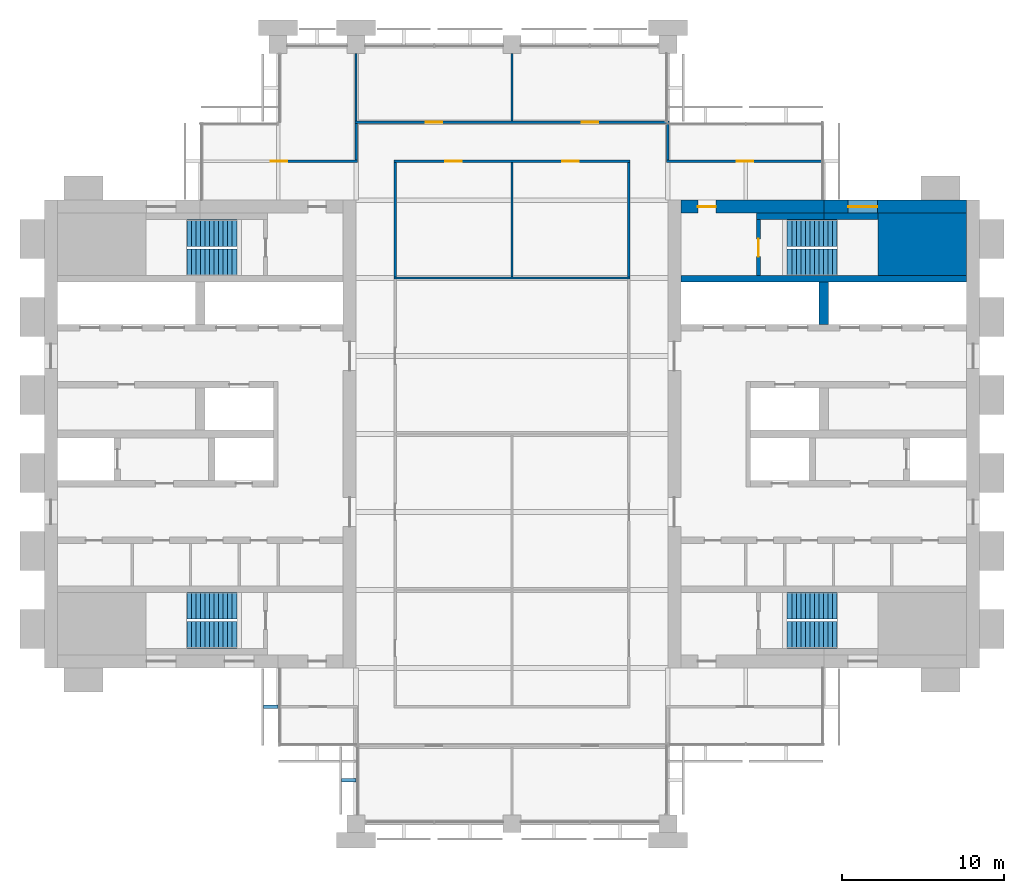
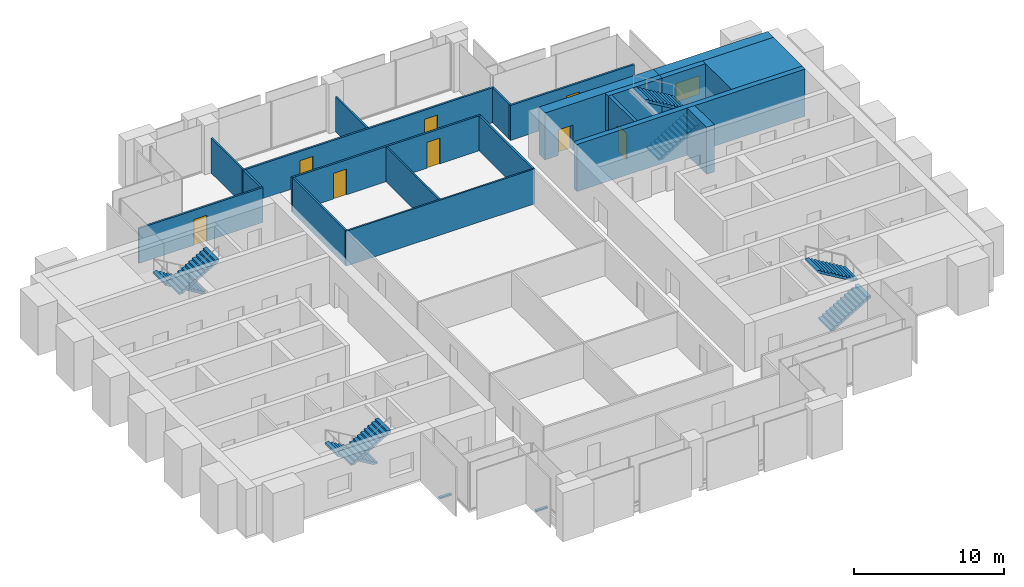
# One storey, part 11 of 13: 20 walls, 8 doors, 8 stair flights, 2 discrete accessories, 1 window, 9 openings, 4 elements without a shape of their own.
"""IFC4 building model written with IfcOpenShell, lengths in metres."""

from ifc_helpers import new_model, si_unit, direction, frame, frame_2d, origin, origin_2d, place, context, subcontext, project, spatial, polyline, rectangle, outline, extrude, material, layer, layer_set, type_object, element, fill, aggregate, save


model = new_model("IFC4")

# Units and contexts
model_context = context("Model", 3, precision=1e-05, world=origin(), true_north=direction((0.0, 1.0)))
body_context = subcontext(model_context, "Body", "Model", "MODEL_VIEW")
ifc_project = project(units=[si_unit("LENGTHUNIT", "METRE"), si_unit("AREAUNIT", "SQUARE_METRE"), si_unit("VOLUMEUNIT", "CUBIC_METRE"), si_unit("PLANEANGLEUNIT", "RADIAN"), si_unit("MASSUNIT", "GRAM", prefix="KILO")], contexts=[model_context])

# Site, building, storey
site_placement = place(None, origin())
site = spatial("IfcSite", under=ifc_project, at=site_placement, CompositionType="ELEMENT")
building_placement = place(site_placement, origin())
building = spatial("IfcBuilding", under=site, at=building_placement, Name="Baori Bourse Tower", CompositionType="ELEMENT")
storey_placement = place(building_placement, frame((0.0, 0.0, 217.199951171875)))
storey = spatial("IfcBuildingStorey", under=building, at=storey_placement, Name="L47", CompositionType="ELEMENT", Elevation=217.199951171875)

# Wall
ifc_material_1 = material(Name="Concrete f'c 50 MPa", Category="concrete")
wall_type_1 = type_object("IfcWallType", Name="Core corner block f'c 50", PredefinedType="SHEAR", material=ifc_material_1)
wall_1_placement = place(storey_placement, frame((51.35009765625, 35.675048828125, 0.0), z_axis=(0.0, 0.0, 1.0), x_axis=(1.0, 0.0, 0.0)))
element("IfcWall", 1, at=wall_1_placement, inside=storey, type_object=wall_type_1, Name="Core wall E25", PredefinedType="SHEAR", context=body_context, shape_type="SweptSolid", body=[
    extrude(rectangle(XDim=5.449951171875, YDim=3.85009765625, at=frame_2d((2.72509765625, 0.0))), origin(), (0.0, 0.0, 1.0), 3.840087890625),
])

# Wall, opening, window
ifc_material_2 = material(Name="Concrete f'c 50 MPa", Category="concrete")
ifc_layer_1 = layer(ifc_material_2, 0.800048828125)
ifc_layer_set_1 = layer_set([ifc_layer_1], Name="Core wall 800 f'c 50")
wall_type_2 = type_object("IfcWallType", Name="Core wall 800 f'c 50", PredefinedType="SHEAR", material=ifc_layer_set_1)
wall_2_placement = place(storey_placement, frame((48.0, 38.0, 0.0), z_axis=(0.0, 0.0, 1.0), x_axis=(1.0, 0.0, 0.0)))
wall_2 = element("IfcWall", 2, at=wall_2_placement, inside=storey, type_object=wall_type_2, Name="Core wall E29", PredefinedType="SHEAR", context=body_context, shape_type="SweptSolid", body=[
    extrude(rectangle(XDim=8.800048828125, YDim=0.800048828125, at=frame_2d((4.39990234375, 0.0))), origin(), (0.0, 0.0, 1.0), 3.840087890625),
])
opening_1_placement = place(wall_2_placement, frame((1.5, 0.0, 0.89990234375)))
opening_1 = element("IfcOpeningElement", 3, at=opening_1_placement, cuts=wall_2, Name="Opening L47-KW204", PredefinedType="OPENING", context=body_context, shape_type="SweptSolid", body=[
    extrude(rectangle(XDim=1.800048828125, YDim=1.5, at=frame_2d((0.89990234375, 0.75))), frame((0.0, 0.409912109375, 0.0), z_axis=(0.0, -1.0, 0.0), x_axis=(1.0, 0.0, 0.0)), (0.0, 0.0, 1.0), 0.820068359375),
])
ifc_material_3 = material(Name="Pale anodised aluminium", Category="aluminium")
window_type = type_object("IfcWindowType", Name="Stair window 1800 x 1500", PartitioningType="SINGLE_PANEL", PredefinedType="WINDOW", material=ifc_material_3)
window_placement = place(opening_1_placement, origin())
window = element("IfcWindow", 4, at=window_placement, inside=storey, type_object=window_type, Name="Stair window E L47 4", OverallHeight=1.5, OverallWidth=1.800048828125, PartitioningType="SINGLE_PANEL", PredefinedType="WINDOW", context=body_context, shape_type="SweptSolid", body=[
    extrude(rectangle(XDim=1.800048828125, YDim=1.5, at=frame_2d((0.89990234375, 0.75))), frame((0.0, 0.030029296875, 0.0), z_axis=(0.0, -1.0, 0.0), x_axis=(1.0, 0.0, 0.0)), (0.0, 0.0, 1.0), 0.06005859375),
])
fill(opening_1, window)

# Wall, opening, door
wall_3_placement = place(storey_placement, frame((39.199951171875, 38.0, 0.0), z_axis=(0.0, 0.0, 1.0), x_axis=(1.0, 0.0, 0.0)))
wall_3 = element("IfcWall", 5, at=wall_3_placement, inside=storey, type_object=wall_type_2, Name="Core wall E30", PredefinedType="SHEAR", context=body_context, shape_type="SweptSolid", body=[
    extrude(rectangle(XDim=8.800048828125, YDim=0.800048828125, at=frame_2d((4.39990234375, 0.0))), origin(), (0.0, 0.0, 1.0), 3.840087890625),
])
opening_2_placement = place(wall_3_placement, frame((1.050048828125, 0.0, 0.0)))
opening_2 = element("IfcOpeningElement", 6, at=opening_2_placement, cuts=wall_3, Name="Opening L47-D204", PredefinedType="OPENING", context=body_context, shape_type="SweptSolid", body=[
    extrude(rectangle(XDim=1.10009765625, YDim=2.10009765625, at=frame_2d((0.550048828125, 1.050048828125))), frame((0.0, 0.409912109375, 0.0), z_axis=(0.0, -1.0, 0.0), x_axis=(1.0, 0.0, 0.0)), (0.0, 0.0, 1.0), 0.820068359375),
])
ifc_material_4 = material(Name="Painted steel door", Category="steel")
door_type_1 = type_object("IfcDoorType", Name="Stair door 1100", OperationType="SINGLE_SWING_LEFT", PredefinedType="DOOR", material=ifc_material_4)
door_1_placement = place(opening_2_placement, origin())
door_1 = element("IfcDoor", 7, at=door_1_placement, inside=storey, type_object=door_type_1, Name="Stair vestibule door B E L47", OperationType="SINGLE_SWING_LEFT", OverallHeight=2.10009765625, OverallWidth=1.10009765625, PredefinedType="DOOR", context=body_context, shape_type="SweptSolid", body=[
    extrude(rectangle(XDim=1.10009765625, YDim=2.10009765625, at=frame_2d((0.550048828125, 1.050048828125))), frame((0.0, 0.02490234375, 0.0), z_axis=(0.0, -1.0, 0.0), x_axis=(1.0, 0.0, 0.0)), (0.0, 0.0, 1.0), 0.050048828125),
])
fill(opening_2, door_1)

ifc_material_5 = material(Name="Gypsum board partition")
ifc_layer_2 = layer(ifc_material_5, 0.14990234375)
ifc_layer_set_2 = layer_set([ifc_layer_2], Name="Corridor partition 150")
wall_type_3 = type_object("IfcWallType", Name="Corridor partition 150", PredefinedType="PARTITIONING", material=ifc_layer_set_2)
wall_4_placement = place(storey_placement, frame((9.699951171875, 40.800048828125, 0.0), z_axis=(0.0, 0.0, 1.0), x_axis=(1.0, 0.0, 0.0)))
wall_4 = element("IfcWall", 8, at=wall_4_placement, inside=storey, type_object=wall_type_3, Name="Partition", PredefinedType="PARTITIONING", context=body_context, shape_type="SweptSolid", body=[
    extrude(rectangle(XDim=9.574951171875, YDim=0.14990234375, at=frame_2d((4.78759765625, 0.0))), origin(), (0.0, 0.0, 1.0), 2.849365234375),
])
opening_3_placement = place(wall_4_placement, frame((4.25, 0.0, 0.0)))
opening_3 = element("IfcOpeningElement", 9, at=opening_3_placement, cuts=wall_4, Name="Opening L47-D05", PredefinedType="OPENING", context=body_context, shape_type="SweptSolid", body=[
    extrude(rectangle(XDim=1.0, YDim=2.10009765625, at=frame_2d((0.5, 1.050048828125))), frame((0.0, 0.0849609375, 0.0), z_axis=(0.0, -1.0, 0.0), x_axis=(1.0, 0.0, 0.0)), (0.0, 0.0, 1.0), 0.169921875),
])
ifc_material_6 = material(Name="Timber door leaf", Category="wood")
door_type_2 = type_object("IfcDoorType", Name="Door 1000 x 2100", OperationType="SINGLE_SWING_LEFT", PredefinedType="DOOR", material=ifc_material_6)
door_2_placement = place(opening_3_placement, origin())
door_2 = element("IfcDoor", 10, at=door_2_placement, inside=storey, type_object=door_type_2, Name="Door", OperationType="SINGLE_SWING_RIGHT", OverallHeight=2.10009765625, OverallWidth=1.0, PredefinedType="DOOR", context=body_context, shape_type="SweptSolid", body=[
    extrude(rectangle(XDim=1.0, YDim=2.10009765625, at=frame_2d((0.5, 1.050048828125))), frame((0.0, 0.02490234375, 0.0), z_axis=(0.0, -1.0, 0.0), x_axis=(1.0, 0.0, 0.0)), (0.0, 0.0, 1.0), 0.050048828125),
])
fill(opening_3, door_2)

# Wall, openings, doors
wall_5_placement = place(storey_placement, frame((21.52490234375, 40.800048828125, 0.0), z_axis=(0.0, 0.0, 1.0), x_axis=(1.0, 0.0, 0.0)))
wall_5 = element("IfcWall", 11, at=wall_5_placement, inside=storey, type_object=wall_type_3, Name="Partition", PredefinedType="PARTITIONING", context=body_context, shape_type="SweptSolid", body=[
    extrude(rectangle(XDim=14.550048828125, YDim=0.14990234375, at=frame_2d((7.27490234375, 0.0))), origin(), (0.0, 0.0, 1.0), 2.849365234375),
])
opening_4_placement = place(wall_5_placement, frame((3.175048828125, 0.0, 0.0)))
opening_4 = element("IfcOpeningElement", 12, at=opening_4_placement, cuts=wall_5, Name="Opening L47-D06", PredefinedType="OPENING", context=body_context, shape_type="SweptSolid", body=[
    extrude(rectangle(XDim=1.0, YDim=2.10009765625, at=frame_2d((0.5, 1.050048828125))), frame((0.0, 0.0849609375, 0.0), z_axis=(0.0, -1.0, 0.0), x_axis=(1.0, 0.0, 0.0)), (0.0, 0.0, 1.0), 0.169921875),
])
opening_5_placement = place(wall_5_placement, frame((10.375, 0.0, 0.0)))
opening_5 = element("IfcOpeningElement", 13, at=opening_5_placement, cuts=wall_5, Name="Opening L47-D07", PredefinedType="OPENING", context=body_context, shape_type="SweptSolid", body=[
    extrude(rectangle(XDim=1.0, YDim=2.10009765625, at=frame_2d((0.5, 1.050048828125))), frame((0.0, 0.0849609375, 0.0), z_axis=(0.0, -1.0, 0.0), x_axis=(1.0, 0.0, 0.0)), (0.0, 0.0, 1.0), 0.169921875),
])
door_3_placement = place(opening_4_placement, origin())
door_3 = element("IfcDoor", 14, at=door_3_placement, inside=storey, type_object=door_type_2, Name="Door", OperationType="SINGLE_SWING_LEFT", OverallHeight=2.10009765625, OverallWidth=1.0, PredefinedType="DOOR", context=body_context, shape_type="SweptSolid", body=[
    extrude(rectangle(XDim=1.0, YDim=2.10009765625, at=frame_2d((0.5, 1.050048828125))), frame((0.0, 0.02490234375, 0.0), z_axis=(0.0, -1.0, 0.0), x_axis=(1.0, 0.0, 0.0)), (0.0, 0.0, 1.0), 0.050048828125),
])
fill(opening_4, door_3)
door_4_placement = place(opening_5_placement, origin())
door_4 = element("IfcDoor", 15, at=door_4_placement, inside=storey, type_object=door_type_2, Name="Door", OperationType="SINGLE_SWING_RIGHT", OverallHeight=2.10009765625, OverallWidth=1.0, PredefinedType="DOOR", context=body_context, shape_type="SweptSolid", body=[
    extrude(rectangle(XDim=1.0, YDim=2.10009765625, at=frame_2d((0.5, 1.050048828125))), frame((0.0, 0.02490234375, 0.0), z_axis=(0.0, -1.0, 0.0), x_axis=(1.0, 0.0, 0.0)), (0.0, 0.0, 1.0), 0.050048828125),
])
fill(opening_5, door_4)

# Wall, opening, door
wall_6_placement = place(storey_placement, frame((38.324951171875, 40.800048828125, 0.0), z_axis=(0.0, 0.0, 1.0), x_axis=(1.0, 0.0, 0.0)))
wall_6 = element("IfcWall", 16, at=wall_6_placement, inside=storey, type_object=wall_type_3, Name="Partition", PredefinedType="PARTITIONING", context=body_context, shape_type="SweptSolid", body=[
    extrude(rectangle(XDim=9.574951171875, YDim=0.14990234375, at=frame_2d((4.78759765625, 0.0))), origin(), (0.0, 0.0, 1.0), 2.849365234375),
])
opening_6_placement = place(wall_6_placement, frame((4.324951171875, 0.0, 0.0)))
opening_6 = element("IfcOpeningElement", 17, at=opening_6_placement, cuts=wall_6, Name="Opening L47-D08", PredefinedType="OPENING", context=body_context, shape_type="SweptSolid", body=[
    extrude(rectangle(XDim=1.0, YDim=2.10009765625, at=frame_2d((0.5, 1.050048828125))), frame((0.0, 0.0849609375, 0.0), z_axis=(0.0, -1.0, 0.0), x_axis=(1.0, 0.0, 0.0)), (0.0, 0.0, 1.0), 0.169921875),
])
door_5_placement = place(opening_6_placement, origin())
door_5 = element("IfcDoor", 18, at=door_5_placement, inside=storey, type_object=door_type_2, Name="Door", OperationType="SINGLE_SWING_LEFT", OverallHeight=2.10009765625, OverallWidth=1.0, PredefinedType="DOOR", context=body_context, shape_type="SweptSolid", body=[
    extrude(rectangle(XDim=1.0, YDim=2.10009765625, at=frame_2d((0.5, 1.050048828125))), frame((0.0, 0.02490234375, 0.0), z_axis=(0.0, -1.0, 0.0), x_axis=(1.0, 0.0, 0.0)), (0.0, 0.0, 1.0), 0.050048828125),
])
fill(opening_6, door_5)

# Wall, openings, doors
wall_7_placement = place(storey_placement, frame((19.125, 43.199951171875, 0.0), z_axis=(0.0, 0.0, 1.0), x_axis=(1.0, 0.0, 0.0)))
wall_7 = element("IfcWall", 19, at=wall_7_placement, inside=storey, type_object=wall_type_3, Name="Partition", PredefinedType="PARTITIONING", context=body_context, shape_type="SweptSolid", body=[
    extrude(rectangle(XDim=19.35009765625, YDim=0.14990234375, at=frame_2d((9.675048828125, 0.0))), origin(), (0.0, 0.0, 1.0), 2.849365234375),
])
opening_7_placement = place(wall_7_placement, frame((4.375, 0.0, 0.0)))
opening_7 = element("IfcOpeningElement", 20, at=opening_7_placement, cuts=wall_7, Name="Opening L47-D09", PredefinedType="OPENING", context=body_context, shape_type="SweptSolid", body=[
    extrude(rectangle(XDim=1.0, YDim=2.10009765625, at=frame_2d((0.5, 1.050048828125))), frame((0.0, 0.0849609375, 0.0), z_axis=(0.0, -1.0, 0.0), x_axis=(1.0, 0.0, 0.0)), (0.0, 0.0, 1.0), 0.169921875),
])
opening_8_placement = place(wall_7_placement, frame((13.97509765625, 0.0, 0.0)))
opening_8 = element("IfcOpeningElement", 21, at=opening_8_placement, cuts=wall_7, Name="Opening L47-D10", PredefinedType="OPENING", context=body_context, shape_type="SweptSolid", body=[
    extrude(rectangle(XDim=1.0, YDim=2.10009765625, at=frame_2d((0.5, 1.050048828125))), frame((0.0, 0.0849609375, 0.0), z_axis=(0.0, -1.0, 0.0), x_axis=(1.0, 0.0, 0.0)), (0.0, 0.0, 1.0), 0.169921875),
])
door_6_placement = place(opening_7_placement, origin())
door_6 = element("IfcDoor", 22, at=door_6_placement, inside=storey, type_object=door_type_2, Name="Door", OperationType="SINGLE_SWING_RIGHT", OverallHeight=2.10009765625, OverallWidth=1.0, PredefinedType="DOOR", context=body_context, shape_type="SweptSolid", body=[
    extrude(rectangle(XDim=1.0, YDim=2.10009765625, at=frame_2d((0.5, 1.050048828125))), frame((0.0, 0.02490234375, 0.0), z_axis=(0.0, -1.0, 0.0), x_axis=(1.0, 0.0, 0.0)), (0.0, 0.0, 1.0), 0.050048828125),
])
fill(opening_7, door_6)
door_7_placement = place(opening_8_placement, origin())
door_7 = element("IfcDoor", 23, at=door_7_placement, inside=storey, type_object=door_type_2, Name="Door", OperationType="SINGLE_SWING_LEFT", OverallHeight=2.10009765625, OverallWidth=1.0, PredefinedType="DOOR", context=body_context, shape_type="SweptSolid", body=[
    extrude(rectangle(XDim=1.0, YDim=2.10009765625, at=frame_2d((0.5, 1.050048828125))), frame((0.0, 0.02490234375, 0.0), z_axis=(0.0, -1.0, 0.0), x_axis=(1.0, 0.0, 0.0)), (0.0, 0.0, 1.0), 0.050048828125),
])
fill(opening_8, door_7)

# Walls
wall_8_placement = place(storey_placement, frame((19.199951171875, 40.875, 0.0), z_axis=(0.0, 0.0, 1.0), x_axis=(0.0, 1.0, 0.0)))
element("IfcWall", 24, at=wall_8_placement, inside=storey, type_object=wall_type_3, Name="Partition", PredefinedType="PARTITIONING", context=body_context, shape_type="SweptSolid", body=[
    extrude(rectangle(XDim=2.25, YDim=0.14990234375, at=frame_2d((1.125, 0.0))), origin(), (0.0, 0.0, 1.0), 2.849365234375),
])
for number, where, z_axis, x_axis, name in (
    (25, (21.60009765625, 33.66259765625, 0.0), (0.0, 0.0, 1.0), (0.0, 1.0, 0.0), "Partition"),
    (26, (36.0, 33.66259765625, 0.0), (0.0, 0.0, 1.0), (0.0, 1.0, 0.0), "Partition"),
):
    element("IfcWall", number, at=place(storey_placement, frame(where, z_axis=z_axis, x_axis=x_axis)), inside=storey, type_object=wall_type_3, Name=name, PredefinedType="PARTITIONING", context=body_context, shape_type="SweptSolid", body=[
        extrude(rectangle(XDim=7.0625, YDim=0.14990234375, at=frame_2d((3.53125, 0.0))), origin(), (0.0, 0.0, 1.0), 2.849365234375),
    ])
wall_9_placement = place(storey_placement, frame((38.39990234375, 40.875, 0.0), z_axis=(0.0, 0.0, 1.0), x_axis=(0.0, 1.0, 0.0)))
element("IfcWall", 27, at=wall_9_placement, inside=storey, type_object=wall_type_3, Name="Partition", PredefinedType="PARTITIONING", context=body_context, shape_type="SweptSolid", body=[
    extrude(rectangle(XDim=2.25, YDim=0.14990234375, at=frame_2d((1.125, 0.0))), origin(), (0.0, 0.0, 1.0), 2.849365234375),
])
ifc_material_7 = material(Name="Gypsum board partition")
ifc_layer_3 = layer(ifc_material_7, 0.125)
ifc_layer_set_3 = layer_set([ifc_layer_3], Name="Partition 125")
wall_type_4 = type_object("IfcWallType", Name="Partition 125", PredefinedType="PARTITIONING", material=ifc_layer_set_3)
wall_10_placement = place(storey_placement, frame((21.52490234375, 33.60009765625, 0.0), z_axis=(0.0, 0.0, 1.0), x_axis=(1.0, 0.0, 0.0)))
element("IfcWall", 28, at=wall_10_placement, inside=storey, type_object=wall_type_4, Name="Partition", PredefinedType="PARTITIONING", context=body_context, shape_type="SweptSolid", body=[
    extrude(rectangle(XDim=14.550048828125, YDim=0.125, at=frame_2d((7.27490234375, 0.0))), origin(), (0.0, 0.0, 1.0), 2.849365234375),
])
wall_11_placement = place(storey_placement, frame((19.199951171875, 43.27490234375, 0.0), z_axis=(0.0, 0.0, 1.0), x_axis=(0.0, 1.0, 0.0)))
element("IfcWall", 29, at=wall_11_placement, inside=storey, type_object=wall_type_4, Name="Partition", PredefinedType="PARTITIONING", context=body_context, shape_type="SweptSolid", body=[
    extrude(rectangle(XDim=4.175048828125, YDim=0.125, at=frame_2d((2.08740234375, 0.0))), origin(), (0.0, 0.0, 1.0), 2.849365234375),
])
wall_12_placement = place(storey_placement, frame((28.800048828125, 33.66259765625, 0.0), z_axis=(0.0, 0.0, 1.0), x_axis=(0.0, 1.0, 0.0)))
element("IfcWall", 30, at=wall_12_placement, inside=storey, type_object=wall_type_4, Name="Partition", PredefinedType="PARTITIONING", context=body_context, shape_type="SweptSolid", body=[
    extrude(rectangle(XDim=7.0625, YDim=0.125, at=frame_2d((3.53125, 0.0))), origin(), (0.0, 0.0, 1.0), 2.849365234375),
])
wall_13_placement = place(storey_placement, frame((28.800048828125, 43.27490234375, 0.0), z_axis=(0.0, 0.0, 1.0), x_axis=(0.0, 1.0, 0.0)))
element("IfcWall", 31, at=wall_13_placement, inside=storey, type_object=wall_type_4, Name="Partition", PredefinedType="PARTITIONING", context=body_context, shape_type="SweptSolid", body=[
    extrude(rectangle(XDim=4.175048828125, YDim=0.125, at=frame_2d((2.08740234375, 0.0))), origin(), (0.0, 0.0, 1.0), 2.849365234375),
])

# Wall, opening, door
ifc_material_8 = material(Name="Concrete f'c 50 MPa", Category="concrete")
ifc_layer_4 = layer(ifc_material_8, 0.25)
ifc_layer_set_4 = layer_set([ifc_layer_4], Name="Shaft wall 250 f'c 50")
wall_type_5 = type_object("IfcWallType", Name="Shaft wall 250 f'c 50", PredefinedType="SHEAR", material=ifc_layer_set_4)
wall_14_placement = place(storey_placement, frame((43.97509765625, 33.75, 0.0), z_axis=(0.0, 0.0, 1.0), x_axis=(0.0, 1.0, 0.0)))
wall_14 = element("IfcWall", 32, at=wall_14_placement, inside=storey, type_object=wall_type_5, Name="Core wall E26", PredefinedType="SHEAR", context=body_context, shape_type="SweptSolid", body=[
    extrude(rectangle(XDim=3.449951171875, YDim=0.25, at=frame_2d((1.72509765625, 0.0))), origin(), (0.0, 0.0, 1.0), 3.840087890625),
])
opening_9_placement = place(wall_14_placement, frame((1.175048828125, 0.0, 0.0)))
opening_9 = element("IfcOpeningElement", 33, at=opening_9_placement, cuts=wall_14, Name="Opening L47-D203", PredefinedType="OPENING", context=body_context, shape_type="SweptSolid", body=[
    extrude(rectangle(XDim=1.10009765625, YDim=2.10009765625, at=frame_2d((0.550048828125, 1.050048828125))), frame((0.0, 0.135009765625, 0.0), z_axis=(0.0, -1.0, 0.0), x_axis=(1.0, 0.0, 0.0)), (0.0, 0.0, 1.0), 0.27001953125),
])
door_8_placement = place(opening_9_placement, origin())
door_8 = element("IfcDoor", 34, at=door_8_placement, inside=storey, type_object=door_type_1, Name="Stair door B E L47", OperationType="SINGLE_SWING_LEFT", OverallHeight=2.10009765625, OverallWidth=1.10009765625, PredefinedType="DOOR", context=body_context, shape_type="SweptSolid", body=[
    extrude(rectangle(XDim=1.10009765625, YDim=2.10009765625, at=frame_2d((0.550048828125, 1.050048828125))), frame((0.0, 0.02490234375, 0.0), z_axis=(0.0, -1.0, 0.0), x_axis=(1.0, 0.0, 0.0)), (0.0, 0.0, 1.0), 0.050048828125),
])
fill(opening_9, door_8)

# Walls
ifc_material_9 = material(Name="Concrete f'c 50 MPa", Category="concrete")
ifc_layer_5 = layer(ifc_material_9, 0.39990234375)
ifc_layer_set_5 = layer_set([ifc_layer_5], Name="Shaft wall 400 f'c 50")
wall_type_6 = type_object("IfcWallType", Name="Shaft wall 400 f'c 50", PredefinedType="SHEAR", material=ifc_layer_set_5)
wall_15_placement = place(storey_placement, frame((39.199951171875, 33.550048828125, 0.0), z_axis=(0.0, 0.0, 1.0), x_axis=(1.0, 0.0, 0.0)))
element("IfcWall", 35, at=wall_15_placement, inside=storey, type_object=wall_type_6, Name="Core wall E24", PredefinedType="SHEAR", context=body_context, shape_type="SweptSolid", body=[
    extrude(rectangle(XDim=17.60009765625, YDim=0.39990234375, at=frame_2d((8.800048828125, 0.0))), origin(), (0.0, 0.0, 1.0), 3.840087890625),
])
wall_16_placement = place(storey_placement, frame((48.0, 37.39990234375, 0.0), z_axis=(0.0, 0.0, 1.0), x_axis=(1.0, 0.0, 0.0)))
element("IfcWall", 36, at=wall_16_placement, inside=storey, type_object=wall_type_6, Name="Core wall E27", PredefinedType="SHEAR", context=body_context, shape_type="SweptSolid", body=[
    extrude(rectangle(XDim=3.35009765625, YDim=0.39990234375, at=frame_2d((1.675048828125, 0.0))), origin(), (0.0, 0.0, 1.0), 3.840087890625),
])
wall_17_placement = place(storey_placement, frame((43.85009765625, 37.39990234375, 0.0), z_axis=(0.0, 0.0, 1.0), x_axis=(1.0, 0.0, 0.0)))
element("IfcWall", 37, at=wall_17_placement, inside=storey, type_object=wall_type_6, Name="Core wall E28", PredefinedType="SHEAR", context=body_context, shape_type="SweptSolid", body=[
    extrude(rectangle(XDim=4.14990234375, YDim=0.39990234375, at=frame_2d((2.074951171875, 0.0))), origin(), (0.0, 0.0, 1.0), 3.840087890625),
])
ifc_material_10 = material(Name="Concrete f'c 50 MPa", Category="concrete")
ifc_layer_6 = layer(ifc_material_10, 0.60009765625)
ifc_layer_set_6 = layer_set([ifc_layer_6], Name="Shaft wall 600 f'c 50")
wall_type_7 = type_object("IfcWallType", Name="Shaft wall 600 f'c 50", PredefinedType="SHEAR", material=ifc_layer_set_6)
wall_18_placement = place(storey_placement, frame((48.0, 30.75, 0.0), z_axis=(0.0, 0.0, 1.0), x_axis=(0.0, 1.0, 0.0)))
element("IfcWall", 38, at=wall_18_placement, inside=storey, type_object=wall_type_7, Name="Core wall E23", PredefinedType="SHEAR", context=body_context, shape_type="SweptSolid", body=[
    extrude(rectangle(XDim=2.60009765625, YDim=0.60009765625, at=frame_2d((1.300048828125, 0.0))), origin(), (0.0, 0.0, 1.0), 3.840087890625),
])

# Stair, stair flights
ifc_material_11 = material(Name="Concrete f'c 50 MPa", Category="concrete")
stair_type = type_object("IfcStairType", Name="Core stair", PredefinedType="HALF_TURN_STAIR", material=ifc_material_11)
stair_1_placement = place(storey_placement, origin())
stair_1 = element("IfcStair", 39, at=stair_1_placement, inside=storey, type_object=stair_type, Name="L47 Stair WA", PredefinedType="HALF_TURN_STAIR")
ifc_material_12 = material(Name="Concrete f'c 50 MPa", Category="concrete")
stair_flight_type = type_object("IfcStairFlightType", Name="Core stair flight", PredefinedType="STRAIGHT", material=ifc_material_12)
stair_flight_1_placement = place(storey_placement, frame((11.85009765625, 13.425048828125, 0.0), z_axis=(0.0, 0.0, 1.0), x_axis=(-1.0, 0.0, 0.0)))
stair_flight_1 = element("IfcStairFlight", 40, at=stair_flight_1_placement, type_object=stair_flight_type, Name="ST1 flight 1", NumberOfRisers=12, NumberOfTreads=11, PredefinedType="STRAIGHT", RiserHeight=0.166666667, TreadLength=0.28, context=body_context, shape_type="SweptSolid", body=[
    extrude(outline(polyline([(0.0, 0.0), (0.0, 0.166748046875), (0.280029296875, 0.166748046875), (0.280029296875, 0.333251953125), (0.56005859375, 0.333251953125), (0.56005859375, 0.5), (0.840087890625, 0.5), (0.840087890625, 0.666748046875), (1.1201171875, 0.666748046875), (1.1201171875, 0.833251953125), (1.39990234375, 0.833251953125), (1.39990234375, 1.0), (1.679931640625, 1.0), (1.679931640625, 1.166748046875), (1.9599609375, 1.166748046875), (1.9599609375, 1.333251953125), (2.239990234375, 1.333251953125), (2.239990234375, 1.5), (2.52001953125, 1.5), (2.52001953125, 1.666748046875), (2.800048828125, 1.666748046875), (2.800048828125, 1.833251953125), (3.080078125, 1.833251953125), (3.080078125, 2.0), (3.080078125, 1.658935546875), (0.29296875, 0.0), (0.0, 0.0)])), frame((0.0, 0.824951171875, 0.0), z_axis=(0.0, -1.0, 0.0), x_axis=(1.0, 0.0, 0.0)), (0.0, 0.0, 1.0), 1.64990234375),
])
stair_flight_2_placement = place(storey_placement, frame((8.77001953125, 11.625, 2.0), z_axis=(0.0, 0.0, 1.0), x_axis=(1.0, 0.0, 0.0)))
stair_flight_2 = element("IfcStairFlight", 41, at=stair_flight_2_placement, type_object=stair_flight_type, Name="ST1 flight 2", NumberOfRisers=12, NumberOfTreads=11, PredefinedType="STRAIGHT", RiserHeight=0.166666667, TreadLength=0.28, context=body_context, shape_type="SweptSolid", body=[
    extrude(outline(polyline([(0.0, 0.0), (0.0, 0.166748046875), (0.280029296875, 0.166748046875), (0.280029296875, 0.333251953125), (0.56005859375, 0.333251953125), (0.56005859375, 0.5), (0.840087890625, 0.5), (0.840087890625, 0.666748046875), (1.1201171875, 0.666748046875), (1.1201171875, 0.833251953125), (1.39990234375, 0.833251953125), (1.39990234375, 1.0), (1.679931640625, 1.0), (1.679931640625, 1.166748046875), (1.9599609375, 1.166748046875), (1.9599609375, 1.333251953125), (2.239990234375, 1.333251953125), (2.239990234375, 1.5), (2.52001953125, 1.5), (2.52001953125, 1.666748046875), (2.800048828125, 1.666748046875), (2.800048828125, 1.833251953125), (3.080078125, 1.833251953125), (3.080078125, 2.0), (3.080078125, 1.658935546875), (0.29296875, 0.0), (0.0, 0.0)])), frame((0.0, 0.824951171875, 0.0), z_axis=(0.0, -1.0, 0.0), x_axis=(1.0, 0.0, 0.0)), (0.0, 0.0, 1.0), 1.64990234375),
])
aggregate(stair_1, [stair_flight_1, stair_flight_2])

stair_2_placement = place(storey_placement, origin())
stair_2 = element("IfcStair", 42, at=stair_2_placement, inside=storey, type_object=stair_type, Name="L47 Stair WB", PredefinedType="HALF_TURN_STAIR")
stair_flight_3_placement = place(storey_placement, frame((11.85009765625, 36.375, 0.0), z_axis=(0.0, 0.0, 1.0), x_axis=(-1.0, 0.0, 0.0)))
stair_flight_3 = element("IfcStairFlight", 43, at=stair_flight_3_placement, type_object=stair_flight_type, Name="ST2 flight 1", NumberOfRisers=12, NumberOfTreads=11, PredefinedType="STRAIGHT", RiserHeight=0.166666667, TreadLength=0.28, context=body_context, shape_type="SweptSolid", body=[
    extrude(outline(polyline([(0.0, 0.0), (0.0, 0.166748046875), (0.280029296875, 0.166748046875), (0.280029296875, 0.333251953125), (0.56005859375, 0.333251953125), (0.56005859375, 0.5), (0.840087890625, 0.5), (0.840087890625, 0.666748046875), (1.1201171875, 0.666748046875), (1.1201171875, 0.833251953125), (1.39990234375, 0.833251953125), (1.39990234375, 1.0), (1.679931640625, 1.0), (1.679931640625, 1.166748046875), (1.9599609375, 1.166748046875), (1.9599609375, 1.333251953125), (2.239990234375, 1.333251953125), (2.239990234375, 1.5), (2.52001953125, 1.5), (2.52001953125, 1.666748046875), (2.800048828125, 1.666748046875), (2.800048828125, 1.833251953125), (3.080078125, 1.833251953125), (3.080078125, 2.0), (3.080078125, 1.658935546875), (0.29296875, 0.0), (0.0, 0.0)])), frame((0.0, 0.824951171875, 0.0), z_axis=(0.0, -1.0, 0.0), x_axis=(1.0, 0.0, 0.0)), (0.0, 0.0, 1.0), 1.64990234375),
])
stair_flight_4_placement = place(storey_placement, frame((8.77001953125, 34.574951171875, 2.0), z_axis=(0.0, 0.0, 1.0), x_axis=(1.0, 0.0, 0.0)))
stair_flight_4 = element("IfcStairFlight", 44, at=stair_flight_4_placement, type_object=stair_flight_type, Name="ST2 flight 2", NumberOfRisers=12, NumberOfTreads=11, PredefinedType="STRAIGHT", RiserHeight=0.166666667, TreadLength=0.28, context=body_context, shape_type="SweptSolid", body=[
    extrude(outline(polyline([(0.0, 0.0), (0.0, 0.166748046875), (0.280029296875, 0.166748046875), (0.280029296875, 0.333251953125), (0.56005859375, 0.333251953125), (0.56005859375, 0.5), (0.840087890625, 0.5), (0.840087890625, 0.666748046875), (1.1201171875, 0.666748046875), (1.1201171875, 0.833251953125), (1.39990234375, 0.833251953125), (1.39990234375, 1.0), (1.679931640625, 1.0), (1.679931640625, 1.166748046875), (1.9599609375, 1.166748046875), (1.9599609375, 1.333251953125), (2.239990234375, 1.333251953125), (2.239990234375, 1.5), (2.52001953125, 1.5), (2.52001953125, 1.666748046875), (2.800048828125, 1.666748046875), (2.800048828125, 1.833251953125), (3.080078125, 1.833251953125), (3.080078125, 2.0), (3.080078125, 1.658935546875), (0.29296875, 0.0), (0.0, 0.0)])), frame((0.0, 0.824951171875, 0.0), z_axis=(0.0, -1.0, 0.0), x_axis=(1.0, 0.0, 0.0)), (0.0, 0.0, 1.0), 1.64990234375),
])
aggregate(stair_2, [stair_flight_3, stair_flight_4])

stair_3_placement = place(storey_placement, origin())
stair_3 = element("IfcStair", 45, at=stair_3_placement, inside=storey, type_object=stair_type, Name="L47 Stair EA", PredefinedType="HALF_TURN_STAIR")
stair_flight_5_placement = place(storey_placement, frame((45.75, 11.625, 0.0), z_axis=(0.0, 0.0, 1.0), x_axis=(1.0, 0.0, 0.0)))
stair_flight_5 = element("IfcStairFlight", 46, at=stair_flight_5_placement, type_object=stair_flight_type, Name="ST3 flight 1", NumberOfRisers=12, NumberOfTreads=11, PredefinedType="STRAIGHT", RiserHeight=0.166666667, TreadLength=0.28, context=body_context, shape_type="SweptSolid", body=[
    extrude(outline(polyline([(0.0, 0.0), (0.0, 0.166748046875), (0.280029296875, 0.166748046875), (0.280029296875, 0.333251953125), (0.56005859375, 0.333251953125), (0.56005859375, 0.5), (0.840087890625, 0.5), (0.840087890625, 0.666748046875), (1.1201171875, 0.666748046875), (1.1201171875, 0.833251953125), (1.39990234375, 0.833251953125), (1.39990234375, 1.0), (1.679931640625, 1.0), (1.679931640625, 1.166748046875), (1.9599609375, 1.166748046875), (1.9599609375, 1.333251953125), (2.239990234375, 1.333251953125), (2.239990234375, 1.5), (2.52001953125, 1.5), (2.52001953125, 1.666748046875), (2.800048828125, 1.666748046875), (2.800048828125, 1.833251953125), (3.080078125, 1.833251953125), (3.080078125, 2.0), (3.080078125, 1.658935546875), (0.29296875, 0.0), (0.0, 0.0)])), frame((0.0, 0.824951171875, 0.0), z_axis=(0.0, -1.0, 0.0), x_axis=(1.0, 0.0, 0.0)), (0.0, 0.0, 1.0), 1.64990234375),
])
stair_flight_6_placement = place(storey_placement, frame((48.830078125, 13.425048828125, 2.0), z_axis=(0.0, 0.0, 1.0), x_axis=(-1.0, 0.0, 0.0)))
stair_flight_6 = element("IfcStairFlight", 47, at=stair_flight_6_placement, type_object=stair_flight_type, Name="ST3 flight 2", NumberOfRisers=12, NumberOfTreads=11, PredefinedType="STRAIGHT", RiserHeight=0.166666667, TreadLength=0.28, context=body_context, shape_type="SweptSolid", body=[
    extrude(outline(polyline([(0.0, 0.0), (0.0, 0.166748046875), (0.280029296875, 0.166748046875), (0.280029296875, 0.333251953125), (0.56005859375, 0.333251953125), (0.56005859375, 0.5), (0.840087890625, 0.5), (0.840087890625, 0.666748046875), (1.1201171875, 0.666748046875), (1.1201171875, 0.833251953125), (1.39990234375, 0.833251953125), (1.39990234375, 1.0), (1.679931640625, 1.0), (1.679931640625, 1.166748046875), (1.9599609375, 1.166748046875), (1.9599609375, 1.333251953125), (2.239990234375, 1.333251953125), (2.239990234375, 1.5), (2.52001953125, 1.5), (2.52001953125, 1.666748046875), (2.800048828125, 1.666748046875), (2.800048828125, 1.833251953125), (3.080078125, 1.833251953125), (3.080078125, 2.0), (3.080078125, 1.658935546875), (0.29296875, 0.0), (0.0, 0.0)])), frame((0.0, 0.824951171875, 0.0), z_axis=(0.0, -1.0, 0.0), x_axis=(1.0, 0.0, 0.0)), (0.0, 0.0, 1.0), 1.64990234375),
])
aggregate(stair_3, [stair_flight_5, stair_flight_6])

stair_4_placement = place(storey_placement, origin())
stair_4 = element("IfcStair", 48, at=stair_4_placement, inside=storey, type_object=stair_type, Name="L47 Stair EB", PredefinedType="HALF_TURN_STAIR")
stair_flight_7_placement = place(storey_placement, frame((45.75, 34.574951171875, 0.0), z_axis=(0.0, 0.0, 1.0), x_axis=(1.0, 0.0, 0.0)))
stair_flight_7 = element("IfcStairFlight", 49, at=stair_flight_7_placement, type_object=stair_flight_type, Name="ST4 flight 1", NumberOfRisers=12, NumberOfTreads=11, PredefinedType="STRAIGHT", RiserHeight=0.166666667, TreadLength=0.28, context=body_context, shape_type="SweptSolid", body=[
    extrude(outline(polyline([(0.0, 0.0), (0.0, 0.166748046875), (0.280029296875, 0.166748046875), (0.280029296875, 0.333251953125), (0.56005859375, 0.333251953125), (0.56005859375, 0.5), (0.840087890625, 0.5), (0.840087890625, 0.666748046875), (1.1201171875, 0.666748046875), (1.1201171875, 0.833251953125), (1.39990234375, 0.833251953125), (1.39990234375, 1.0), (1.679931640625, 1.0), (1.679931640625, 1.166748046875), (1.9599609375, 1.166748046875), (1.9599609375, 1.333251953125), (2.239990234375, 1.333251953125), (2.239990234375, 1.5), (2.52001953125, 1.5), (2.52001953125, 1.666748046875), (2.800048828125, 1.666748046875), (2.800048828125, 1.833251953125), (3.080078125, 1.833251953125), (3.080078125, 2.0), (3.080078125, 1.658935546875), (0.29296875, 0.0), (0.0, 0.0)])), frame((0.0, 0.824951171875, 0.0), z_axis=(0.0, -1.0, 0.0), x_axis=(1.0, 0.0, 0.0)), (0.0, 0.0, 1.0), 1.64990234375),
])
stair_flight_8_placement = place(storey_placement, frame((48.830078125, 36.375, 2.0), z_axis=(0.0, 0.0, 1.0), x_axis=(-1.0, 0.0, 0.0)))
stair_flight_8 = element("IfcStairFlight", 50, at=stair_flight_8_placement, type_object=stair_flight_type, Name="ST4 flight 2", NumberOfRisers=12, NumberOfTreads=11, PredefinedType="STRAIGHT", RiserHeight=0.166666667, TreadLength=0.28, context=body_context, shape_type="SweptSolid", body=[
    extrude(outline(polyline([(0.0, 0.0), (0.0, 0.166748046875), (0.280029296875, 0.166748046875), (0.280029296875, 0.333251953125), (0.56005859375, 0.333251953125), (0.56005859375, 0.5), (0.840087890625, 0.5), (0.840087890625, 0.666748046875), (1.1201171875, 0.666748046875), (1.1201171875, 0.833251953125), (1.39990234375, 0.833251953125), (1.39990234375, 1.0), (1.679931640625, 1.0), (1.679931640625, 1.166748046875), (1.9599609375, 1.166748046875), (1.9599609375, 1.333251953125), (2.239990234375, 1.333251953125), (2.239990234375, 1.5), (2.52001953125, 1.5), (2.52001953125, 1.666748046875), (2.800048828125, 1.666748046875), (2.800048828125, 1.833251953125), (3.080078125, 1.833251953125), (3.080078125, 2.0), (3.080078125, 1.658935546875), (0.29296875, 0.0), (0.0, 0.0)])), frame((0.0, 0.824951171875, 0.0), z_axis=(0.0, -1.0, 0.0), x_axis=(1.0, 0.0, 0.0)), (0.0, 0.0, 1.0), 1.64990234375),
])
aggregate(stair_4, [stair_flight_7, stair_flight_8])

# Discrete accessories
ifc_material_13 = material(Name="Pale anodised aluminium", Category="aluminium")
discrete_accessory_type = type_object("IfcDiscreteAccessoryType", Name="OS2 Outer skin bracket", PredefinedType="BRACKET", material=ifc_material_13)
for number, where, z_axis, x_axis, name in (
    (51, (13.949951171875, 7.199951171875, -0.143798828125), (0.0, 0.0, 1.0), (0.0, -1.0, 0.0), "Outer skin bracket L47 13"),
    (52, (18.75, 2.675048828125, -0.143798828125), (0.0, 0.0, 1.0), (0.0, -1.0, 0.0), "Outer skin bracket L47 15"),
):
    element("IfcDiscreteAccessory", number, at=place(storey_placement, frame(where, z_axis=z_axis, x_axis=x_axis)), inside=storey, type_object=discrete_accessory_type, Name=name, PredefinedType="BRACKET", context=body_context, shape_type="SweptSolid", body=[
        extrude(rectangle(XDim=0.199951171875, YDim=0.89990234375, at=origin_2d()), origin(), (0.0, 0.0, 1.0), 0.1279296875),
    ])

save(model, "model.ifc")
